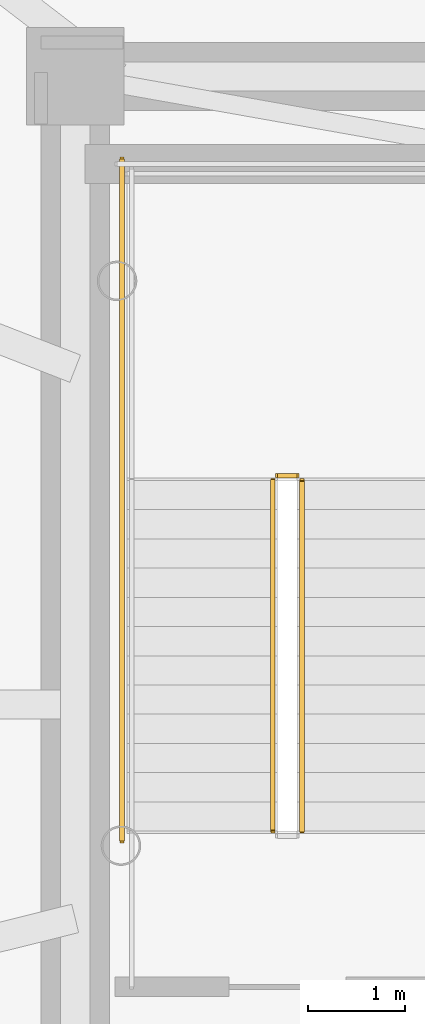
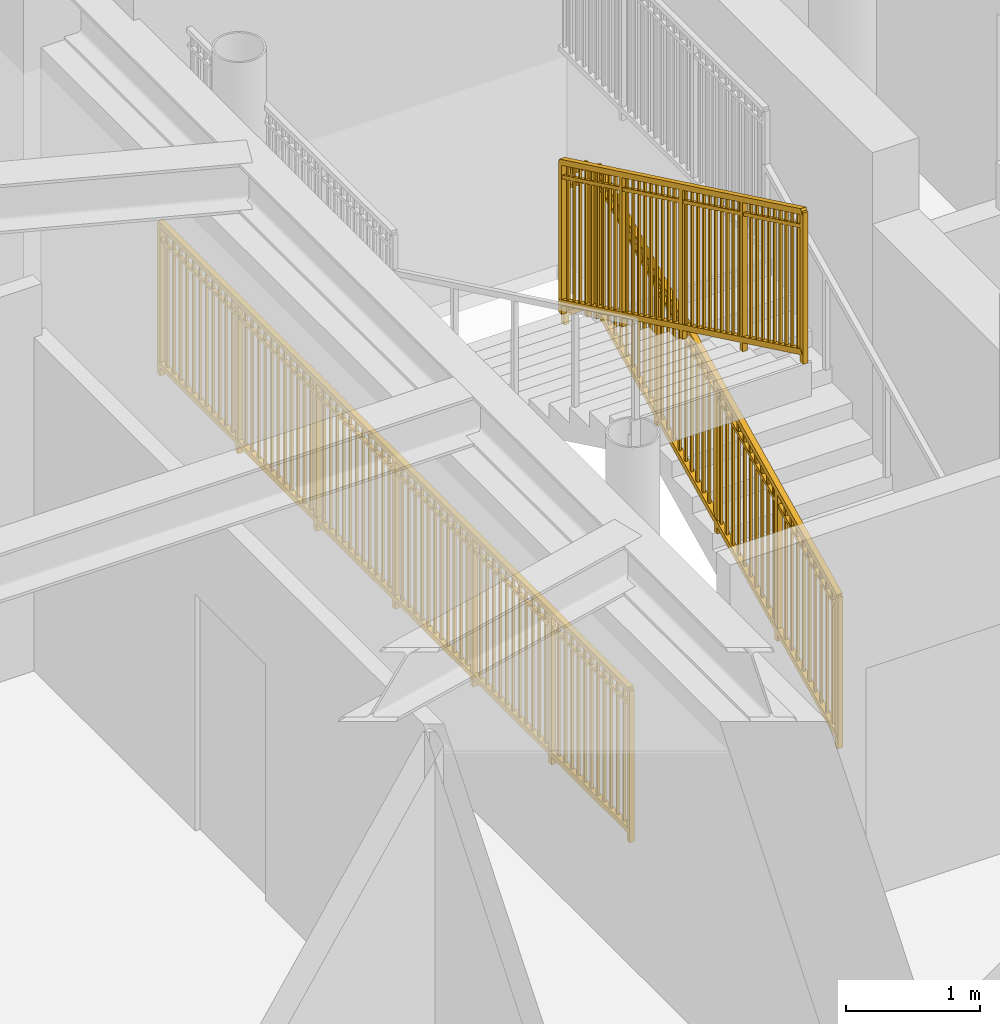
# One storey, part 13 of 16: 4 railings.
"""IFC4 building model written with IfcOpenShell, lengths in metres."""

from ifc_helpers import new_model, si_unit, direction, frame, origin, origin_2d, place, context, subcontext, project, spatial, rectangle, extrude, source, transform, mapped, material, type_object, element, save


model = new_model("IFC4")

# Units and contexts
model_context = context("Model", 3, precision=1e-05, world=origin(), true_north=direction((0.0, 1.0)))
body_context = subcontext(model_context, "Body", "Model", "MODEL_VIEW")
ifc_project = project(units=[si_unit("LENGTHUNIT", "METRE"), si_unit("AREAUNIT", "SQUARE_METRE"), si_unit("VOLUMEUNIT", "CUBIC_METRE"), si_unit("PLANEANGLEUNIT", "RADIAN"), si_unit("MASSUNIT", "GRAM", prefix="KILO")], contexts=[model_context])

# Site, building, storey
site_placement = place(None, origin())
site = spatial("IfcSite", under=ifc_project, at=site_placement, CompositionType="ELEMENT")
building_placement = place(site_placement, origin())
building = spatial("IfcBuilding", under=site, at=building_placement, Name="Linh Dai School and Residence Tower", CompositionType="ELEMENT")
storey_placement = place(building_placement, frame((0.0, 0.0, 306.75)))
storey = spatial("IfcBuildingStorey", under=building, at=storey_placement, Name="L76", CompositionType="ELEMENT", Elevation=306.75)

# Railings
ifc_material = material(Name="Structural Steel S355JR", Category="steel")
railing_type = type_object("IfcRailingType", Name="RL-ST-GUARD-1400", PredefinedType="GUARDRAIL", material=ifc_material)
shared_shape_1 = source(origin(), body_context, "Body", "SweptSolid", [
    extrude(rectangle(XDim=0.048095703125, YDim=0.048095703125, at=origin_2d()), frame((0.0, 0.0, 1.3759765625), z_axis=(-1.0, 0.0, 0.0), x_axis=(0.0, -1.0, 0.0)), (0.0, 0.0, 1.0), 0.199951171875),
    extrude(rectangle(XDim=0.048095703125, YDim=0.048095703125, at=origin_2d()), frame((0.0, 0.0, 0.10009765625), z_axis=(-1.0, 0.0, 0.0), x_axis=(0.0, -1.0, 0.0)), (0.0, 0.0, 1.0), 0.199951171875),
    extrude(rectangle(XDim=0.030029296875, YDim=0.030029296875, at=origin_2d()), frame((0.0, 0.0, 1.239990234375), z_axis=(-1.0, 0.0, 0.0), x_axis=(0.0, -1.0, 0.0)), (0.0, 0.0, 1.0), 0.199951171875),
    extrude(rectangle(XDim=0.0419921875, YDim=0.0419921875, at=origin_2d()), origin(), (0.0, 0.0, 1.0), 1.3759765625),
    extrude(rectangle(XDim=0.0419921875, YDim=0.0419921875, at=origin_2d()), frame((-0.199951171875, 0.0, 0.0)), (0.0, 0.0, 1.0), 1.3759765625),
])
railing_1_placement = place(storey_placement, frame((29.429931640625, 29.35009765625, 1.875)))
element("IfcRailing", 1, at=railing_1_placement, inside=storey, type_object=railing_type, Name="L76 ST1 stair guard 2", PredefinedType="GUARDRAIL", context=body_context, shape_type="MappedRepresentation", body=[
    mapped(shared_shape_1, transform((0.0, 0.0, 0.0), x_axis=(1.0, 0.0, 0.0), y_axis=(0.0, 1.0, 0.0), z_axis=(0.0, 0.0, 1.0), scale=1.0)),
])
shared_shape_2 = source(origin(), body_context, "Body", "SweptSolid", [
    extrude(rectangle(XDim=0.048095703125, YDim=0.048095703125, at=origin_2d()), frame((0.0, 0.0, 1.3759765625), z_axis=(0.0, 1.0, 0.0), x_axis=(-1.0, 0.0, 0.0)), (0.0, 0.0, 1.0), 7.0),
    extrude(rectangle(XDim=0.048095703125, YDim=0.048095703125, at=origin_2d()), frame((0.0, 0.0, 0.10009765625), z_axis=(0.0, 1.0, 0.0), x_axis=(-1.0, 0.0, 0.0)), (0.0, 0.0, 1.0), 7.0),
    extrude(rectangle(XDim=0.030029296875, YDim=0.030029296875, at=origin_2d()), frame((0.0, 0.0, 1.239990234375), z_axis=(0.0, 1.0, 0.0), x_axis=(-1.0, 0.0, 0.0)), (0.0, 0.0, 1.0), 7.0),
    extrude(rectangle(XDim=0.02001953125, YDim=0.02001953125, at=origin_2d()), frame((0.0, 0.09716796875, 0.10009765625)), (0.0, 0.0, 1.0), 1.251708984375),
    extrude(rectangle(XDim=0.02001953125, YDim=0.02001953125, at=origin_2d()), frame((0.0, 0.1943359375, 0.10009765625)), (0.0, 0.0, 1.0), 1.251708984375),
    extrude(rectangle(XDim=0.02001953125, YDim=0.02001953125, at=origin_2d()), frame((0.0, 0.291748046875, 0.10009765625)), (0.0, 0.0, 1.0), 1.251708984375),
    extrude(rectangle(XDim=0.02001953125, YDim=0.02001953125, at=origin_2d()), frame((0.0, 0.388916015625, 0.10009765625)), (0.0, 0.0, 1.0), 1.251708984375),
    extrude(rectangle(XDim=0.02001953125, YDim=0.02001953125, at=origin_2d()), frame((0.0, 0.486083984375, 0.10009765625)), (0.0, 0.0, 1.0), 1.251708984375),
    extrude(rectangle(XDim=0.02001953125, YDim=0.02001953125, at=origin_2d()), frame((0.0, 0.583251953125, 0.10009765625)), (0.0, 0.0, 1.0), 1.251708984375),
    extrude(rectangle(XDim=0.02001953125, YDim=0.02001953125, at=origin_2d()), frame((0.0, 0.6806640625, 0.10009765625)), (0.0, 0.0, 1.0), 1.251708984375),
    extrude(rectangle(XDim=0.02001953125, YDim=0.02001953125, at=origin_2d()), frame((0.0, 0.77783203125, 0.10009765625)), (0.0, 0.0, 1.0), 1.251708984375),
    extrude(rectangle(XDim=0.02001953125, YDim=0.02001953125, at=origin_2d()), frame((0.0, 0.875, 0.10009765625)), (0.0, 0.0, 1.0), 1.251708984375),
    extrude(rectangle(XDim=0.02001953125, YDim=0.02001953125, at=origin_2d()), frame((0.0, 0.97216796875, 0.10009765625)), (0.0, 0.0, 1.0), 1.251708984375),
    extrude(rectangle(XDim=0.02001953125, YDim=0.02001953125, at=origin_2d()), frame((0.0, 1.0693359375, 0.10009765625)), (0.0, 0.0, 1.0), 1.251708984375),
    extrude(rectangle(XDim=0.02001953125, YDim=0.02001953125, at=origin_2d()), frame((0.0, 1.263916015625, 0.10009765625)), (0.0, 0.0, 1.0), 1.251708984375),
    extrude(rectangle(XDim=0.02001953125, YDim=0.02001953125, at=origin_2d()), frame((0.0, 1.361083984375, 0.10009765625)), (0.0, 0.0, 1.0), 1.251708984375),
    extrude(rectangle(XDim=0.02001953125, YDim=0.02001953125, at=origin_2d()), frame((0.0, 1.458251953125, 0.10009765625)), (0.0, 0.0, 1.0), 1.251708984375),
    extrude(rectangle(XDim=0.02001953125, YDim=0.02001953125, at=origin_2d()), frame((0.0, 1.5556640625, 0.10009765625)), (0.0, 0.0, 1.0), 1.251708984375),
    extrude(rectangle(XDim=0.02001953125, YDim=0.02001953125, at=origin_2d()), frame((0.0, 1.65283203125, 0.10009765625)), (0.0, 0.0, 1.0), 1.251708984375),
    extrude(rectangle(XDim=0.02001953125, YDim=0.02001953125, at=origin_2d()), frame((0.0, 1.75, 0.10009765625)), (0.0, 0.0, 1.0), 1.251708984375),
    extrude(rectangle(XDim=0.02001953125, YDim=0.02001953125, at=origin_2d()), frame((0.0, 1.84716796875, 0.10009765625)), (0.0, 0.0, 1.0), 1.251708984375),
    extrude(rectangle(XDim=0.02001953125, YDim=0.02001953125, at=origin_2d()), frame((0.0, 1.9443359375, 0.10009765625)), (0.0, 0.0, 1.0), 1.251708984375),
    extrude(rectangle(XDim=0.02001953125, YDim=0.02001953125, at=origin_2d()), frame((0.0, 2.041748046875, 0.10009765625)), (0.0, 0.0, 1.0), 1.251708984375),
    extrude(rectangle(XDim=0.02001953125, YDim=0.02001953125, at=origin_2d()), frame((0.0, 2.138916015625, 0.10009765625)), (0.0, 0.0, 1.0), 1.251708984375),
    extrude(rectangle(XDim=0.02001953125, YDim=0.02001953125, at=origin_2d()), frame((0.0, 2.236083984375, 0.10009765625)), (0.0, 0.0, 1.0), 1.251708984375),
    extrude(rectangle(XDim=0.02001953125, YDim=0.02001953125, at=origin_2d()), frame((0.0, 2.4306640625, 0.10009765625)), (0.0, 0.0, 1.0), 1.251708984375),
    extrude(rectangle(XDim=0.02001953125, YDim=0.02001953125, at=origin_2d()), frame((0.0, 2.52783203125, 0.10009765625)), (0.0, 0.0, 1.0), 1.251708984375),
    extrude(rectangle(XDim=0.02001953125, YDim=0.02001953125, at=origin_2d()), frame((0.0, 2.625, 0.10009765625)), (0.0, 0.0, 1.0), 1.251708984375),
    extrude(rectangle(XDim=0.02001953125, YDim=0.02001953125, at=origin_2d()), frame((0.0, 2.72216796875, 0.10009765625)), (0.0, 0.0, 1.0), 1.251708984375),
    extrude(rectangle(XDim=0.02001953125, YDim=0.02001953125, at=origin_2d()), frame((0.0, 2.8193359375, 0.10009765625)), (0.0, 0.0, 1.0), 1.251708984375),
    extrude(rectangle(XDim=0.02001953125, YDim=0.02001953125, at=origin_2d()), frame((0.0, 2.916748046875, 0.10009765625)), (0.0, 0.0, 1.0), 1.251708984375),
    extrude(rectangle(XDim=0.02001953125, YDim=0.02001953125, at=origin_2d()), frame((0.0, 3.013916015625, 0.10009765625)), (0.0, 0.0, 1.0), 1.251708984375),
    extrude(rectangle(XDim=0.02001953125, YDim=0.02001953125, at=origin_2d()), frame((0.0, 3.111083984375, 0.10009765625)), (0.0, 0.0, 1.0), 1.251708984375),
    extrude(rectangle(XDim=0.02001953125, YDim=0.02001953125, at=origin_2d()), frame((0.0, 3.208251953125, 0.10009765625)), (0.0, 0.0, 1.0), 1.251708984375),
    extrude(rectangle(XDim=0.02001953125, YDim=0.02001953125, at=origin_2d()), frame((0.0, 3.3056640625, 0.10009765625)), (0.0, 0.0, 1.0), 1.251708984375),
    extrude(rectangle(XDim=0.02001953125, YDim=0.02001953125, at=origin_2d()), frame((0.0, 3.40283203125, 0.10009765625)), (0.0, 0.0, 1.0), 1.251708984375),
    extrude(rectangle(XDim=0.02001953125, YDim=0.02001953125, at=origin_2d()), frame((0.0, 3.59716796875, 0.10009765625)), (0.0, 0.0, 1.0), 1.251708984375),
    extrude(rectangle(XDim=0.02001953125, YDim=0.02001953125, at=origin_2d()), frame((0.0, 3.6943359375, 0.10009765625)), (0.0, 0.0, 1.0), 1.251708984375),
    extrude(rectangle(XDim=0.02001953125, YDim=0.02001953125, at=origin_2d()), frame((0.0, 3.791748046875, 0.10009765625)), (0.0, 0.0, 1.0), 1.251708984375),
    extrude(rectangle(XDim=0.02001953125, YDim=0.02001953125, at=origin_2d()), frame((0.0, 3.888916015625, 0.10009765625)), (0.0, 0.0, 1.0), 1.251708984375),
    extrude(rectangle(XDim=0.02001953125, YDim=0.02001953125, at=origin_2d()), frame((0.0, 3.986083984375, 0.10009765625)), (0.0, 0.0, 1.0), 1.251708984375),
    extrude(rectangle(XDim=0.02001953125, YDim=0.02001953125, at=origin_2d()), frame((0.0, 4.083251953125, 0.10009765625)), (0.0, 0.0, 1.0), 1.251708984375),
    extrude(rectangle(XDim=0.02001953125, YDim=0.02001953125, at=origin_2d()), frame((0.0, 4.1806640625, 0.10009765625)), (0.0, 0.0, 1.0), 1.251708984375),
    extrude(rectangle(XDim=0.02001953125, YDim=0.02001953125, at=origin_2d()), frame((0.0, 4.27783203125, 0.10009765625)), (0.0, 0.0, 1.0), 1.251708984375),
    extrude(rectangle(XDim=0.02001953125, YDim=0.02001953125, at=origin_2d()), frame((0.0, 4.375, 0.10009765625)), (0.0, 0.0, 1.0), 1.251708984375),
    extrude(rectangle(XDim=0.02001953125, YDim=0.02001953125, at=origin_2d()), frame((0.0, 4.47216796875, 0.10009765625)), (0.0, 0.0, 1.0), 1.251708984375),
    extrude(rectangle(XDim=0.02001953125, YDim=0.02001953125, at=origin_2d()), frame((0.0, 4.5693359375, 0.10009765625)), (0.0, 0.0, 1.0), 1.251708984375),
    extrude(rectangle(XDim=0.02001953125, YDim=0.02001953125, at=origin_2d()), frame((0.0, 4.763916015625, 0.10009765625)), (0.0, 0.0, 1.0), 1.251708984375),
    extrude(rectangle(XDim=0.02001953125, YDim=0.02001953125, at=origin_2d()), frame((0.0, 4.861083984375, 0.10009765625)), (0.0, 0.0, 1.0), 1.251708984375),
    extrude(rectangle(XDim=0.02001953125, YDim=0.02001953125, at=origin_2d()), frame((0.0, 4.958251953125, 0.10009765625)), (0.0, 0.0, 1.0), 1.251708984375),
    extrude(rectangle(XDim=0.02001953125, YDim=0.02001953125, at=origin_2d()), frame((0.0, 5.0556640625, 0.10009765625)), (0.0, 0.0, 1.0), 1.251708984375),
    extrude(rectangle(XDim=0.02001953125, YDim=0.02001953125, at=origin_2d()), frame((0.0, 5.15283203125, 0.10009765625)), (0.0, 0.0, 1.0), 1.251708984375),
    extrude(rectangle(XDim=0.02001953125, YDim=0.02001953125, at=origin_2d()), frame((0.0, 5.25, 0.10009765625)), (0.0, 0.0, 1.0), 1.251708984375),
    extrude(rectangle(XDim=0.02001953125, YDim=0.02001953125, at=origin_2d()), frame((0.0, 5.34716796875, 0.10009765625)), (0.0, 0.0, 1.0), 1.251708984375),
    extrude(rectangle(XDim=0.02001953125, YDim=0.02001953125, at=origin_2d()), frame((0.0, 5.4443359375, 0.10009765625)), (0.0, 0.0, 1.0), 1.251708984375),
    extrude(rectangle(XDim=0.02001953125, YDim=0.02001953125, at=origin_2d()), frame((0.0, 5.541748046875, 0.10009765625)), (0.0, 0.0, 1.0), 1.251708984375),
    extrude(rectangle(XDim=0.02001953125, YDim=0.02001953125, at=origin_2d()), frame((0.0, 5.638916015625, 0.10009765625)), (0.0, 0.0, 1.0), 1.251708984375),
    extrude(rectangle(XDim=0.02001953125, YDim=0.02001953125, at=origin_2d()), frame((0.0, 5.736083984375, 0.10009765625)), (0.0, 0.0, 1.0), 1.251708984375),
    extrude(rectangle(XDim=0.02001953125, YDim=0.02001953125, at=origin_2d()), frame((0.0, 5.9306640625, 0.10009765625)), (0.0, 0.0, 1.0), 1.251708984375),
    extrude(rectangle(XDim=0.02001953125, YDim=0.02001953125, at=origin_2d()), frame((0.0, 6.02783203125, 0.10009765625)), (0.0, 0.0, 1.0), 1.251708984375),
    extrude(rectangle(XDim=0.02001953125, YDim=0.02001953125, at=origin_2d()), frame((0.0, 6.125, 0.10009765625)), (0.0, 0.0, 1.0), 1.251708984375),
    extrude(rectangle(XDim=0.02001953125, YDim=0.02001953125, at=origin_2d()), frame((0.0, 6.22216796875, 0.10009765625)), (0.0, 0.0, 1.0), 1.251708984375),
    extrude(rectangle(XDim=0.02001953125, YDim=0.02001953125, at=origin_2d()), frame((0.0, 6.3193359375, 0.10009765625)), (0.0, 0.0, 1.0), 1.251708984375),
    extrude(rectangle(XDim=0.02001953125, YDim=0.02001953125, at=origin_2d()), frame((0.0, 6.416748046875, 0.10009765625)), (0.0, 0.0, 1.0), 1.251708984375),
    extrude(rectangle(XDim=0.02001953125, YDim=0.02001953125, at=origin_2d()), frame((0.0, 6.513916015625, 0.10009765625)), (0.0, 0.0, 1.0), 1.251708984375),
    extrude(rectangle(XDim=0.02001953125, YDim=0.02001953125, at=origin_2d()), frame((0.0, 6.611083984375, 0.10009765625)), (0.0, 0.0, 1.0), 1.251708984375),
    extrude(rectangle(XDim=0.02001953125, YDim=0.02001953125, at=origin_2d()), frame((0.0, 6.708251953125, 0.10009765625)), (0.0, 0.0, 1.0), 1.251708984375),
    extrude(rectangle(XDim=0.02001953125, YDim=0.02001953125, at=origin_2d()), frame((0.0, 6.8056640625, 0.10009765625)), (0.0, 0.0, 1.0), 1.251708984375),
    extrude(rectangle(XDim=0.02001953125, YDim=0.02001953125, at=origin_2d()), frame((0.0, 6.90283203125, 0.10009765625)), (0.0, 0.0, 1.0), 1.251708984375),
    extrude(rectangle(XDim=0.0419921875, YDim=0.0419921875, at=origin_2d()), origin(), (0.0, 0.0, 1.0), 1.3759765625),
    extrude(rectangle(XDim=0.0419921875, YDim=0.0419921875, at=origin_2d()), frame((0.0, 1.166748046875, 0.0)), (0.0, 0.0, 1.0), 1.3759765625),
    extrude(rectangle(XDim=0.0419921875, YDim=0.0419921875, at=origin_2d()), frame((0.0, 2.333251953125, 0.0)), (0.0, 0.0, 1.0), 1.3759765625),
    extrude(rectangle(XDim=0.0419921875, YDim=0.0419921875, at=origin_2d()), frame((0.0, 3.5, 0.0)), (0.0, 0.0, 1.0), 1.3759765625),
    extrude(rectangle(XDim=0.0419921875, YDim=0.0419921875, at=origin_2d()), frame((0.0, 4.666748046875, 0.0)), (0.0, 0.0, 1.0), 1.3759765625),
    extrude(rectangle(XDim=0.0419921875, YDim=0.0419921875, at=origin_2d()), frame((0.0, 5.833251953125, 0.0)), (0.0, 0.0, 1.0), 1.3759765625),
    extrude(rectangle(XDim=0.0419921875, YDim=0.0419921875, at=origin_2d()), frame((0.0, 7.0, 0.0)), (0.0, 0.0, 1.0), 1.3759765625),
])
railing_2_placement = place(storey_placement, frame((27.6298828125, 25.60009765625, 0.0)))
element("IfcRailing", 2, at=railing_2_placement, inside=storey, type_object=railing_type, Name="L76 ST1 stair guard 11", PredefinedType="GUARDRAIL", context=body_context, shape_type="MappedRepresentation", body=[
    mapped(shared_shape_2, transform((0.0, 0.0, 0.0), x_axis=(1.0, 0.0, 0.0), y_axis=(0.0, 1.0, 0.0), z_axis=(0.0, 0.0, 1.0), scale=1.0)),
])
shared_shape_3 = source(origin(), body_context, "Body", "SweptSolid", [
    extrude(rectangle(XDim=0.048095703125, YDim=0.048095703125, at=origin_2d()), frame((0.0, 0.0, 1.3759765625), z_axis=(0.0, 0.901262522062, 0.433273431364), x_axis=(-1.0, 0.0, 0.0)), (0.0, 0.0, 1.0), 3.994384765625),
    extrude(rectangle(XDim=0.048095703125, YDim=0.048095703125, at=origin_2d()), frame((0.0, 0.0, 0.10009765625), z_axis=(0.0, 0.901262522062, 0.433273431364), x_axis=(-1.0, 0.0, 0.0)), (0.0, 0.0, 1.0), 3.994384765625),
    extrude(rectangle(XDim=0.030029296875, YDim=0.030029296875, at=origin_2d()), frame((0.0, 0.0, 1.239990234375), z_axis=(0.0, 0.901262522062, 0.433273431364), x_axis=(-1.0, 0.0, 0.0)), (0.0, 0.0, 1.0), 3.994384765625),
    extrude(rectangle(XDim=0.02001953125, YDim=0.02001953125, at=origin_2d()), frame((0.0, 0.087890625, 0.142333984375)), (0.0, 0.0, 1.0), 1.251708984375),
    extrude(rectangle(XDim=0.02001953125, YDim=0.02001953125, at=origin_2d()), frame((0.0, 0.175537109375, 0.1845703125)), (0.0, 0.0, 1.0), 1.251708984375),
    extrude(rectangle(XDim=0.02001953125, YDim=0.02001953125, at=origin_2d()), frame((0.0, 0.263427734375, 0.226806640625)), (0.0, 0.0, 1.0), 1.251708984375),
    extrude(rectangle(XDim=0.02001953125, YDim=0.02001953125, at=origin_2d()), frame((0.0, 0.351318359375, 0.26904296875)), (0.0, 0.0, 1.0), 1.251708984375),
    extrude(rectangle(XDim=0.02001953125, YDim=0.02001953125, at=origin_2d()), frame((0.0, 0.43896484375, 0.311279296875)), (0.0, 0.0, 1.0), 1.251708984375),
    extrude(rectangle(XDim=0.02001953125, YDim=0.02001953125, at=origin_2d()), frame((0.0, 0.52685546875, 0.353271484375)), (0.0, 0.0, 1.0), 1.251708984375),
    extrude(rectangle(XDim=0.02001953125, YDim=0.02001953125, at=origin_2d()), frame((0.0, 0.61474609375, 0.3955078125)), (0.0, 0.0, 1.0), 1.251708984375),
    extrude(rectangle(XDim=0.02001953125, YDim=0.02001953125, at=origin_2d()), frame((0.0, 0.702392578125, 0.437744140625)), (0.0, 0.0, 1.0), 1.251708984375),
    extrude(rectangle(XDim=0.02001953125, YDim=0.02001953125, at=origin_2d()), frame((0.0, 0.790283203125, 0.47998046875)), (0.0, 0.0, 1.0), 1.251708984375),
    extrude(rectangle(XDim=0.02001953125, YDim=0.02001953125, at=origin_2d()), frame((0.0, 0.9658203125, 0.564453125)), (0.0, 0.0, 1.0), 1.251708984375),
    extrude(rectangle(XDim=0.02001953125, YDim=0.02001953125, at=origin_2d()), frame((0.0, 1.0537109375, 0.606689453125)), (0.0, 0.0, 1.0), 1.251708984375),
    extrude(rectangle(XDim=0.02001953125, YDim=0.02001953125, at=origin_2d()), frame((0.0, 1.1416015625, 0.64892578125)), (0.0, 0.0, 1.0), 1.251708984375),
    extrude(rectangle(XDim=0.02001953125, YDim=0.02001953125, at=origin_2d()), frame((0.0, 1.229248046875, 0.691162109375)), (0.0, 0.0, 1.0), 1.251708984375),
    extrude(rectangle(XDim=0.02001953125, YDim=0.02001953125, at=origin_2d()), frame((0.0, 1.317138671875, 0.7333984375)), (0.0, 0.0, 1.0), 1.251708984375),
    extrude(rectangle(XDim=0.02001953125, YDim=0.02001953125, at=origin_2d()), frame((0.0, 1.405029296875, 0.775390625)), (0.0, 0.0, 1.0), 1.251708984375),
    extrude(rectangle(XDim=0.02001953125, YDim=0.02001953125, at=origin_2d()), frame((0.0, 1.49267578125, 0.817626953125)), (0.0, 0.0, 1.0), 1.251708984375),
    extrude(rectangle(XDim=0.02001953125, YDim=0.02001953125, at=origin_2d()), frame((0.0, 1.58056640625, 0.85986328125)), (0.0, 0.0, 1.0), 1.251708984375),
    extrude(rectangle(XDim=0.02001953125, YDim=0.02001953125, at=origin_2d()), frame((0.0, 1.66845703125, 0.902099609375)), (0.0, 0.0, 1.0), 1.251708984375),
    extrude(rectangle(XDim=0.02001953125, YDim=0.02001953125, at=origin_2d()), frame((0.0, 1.756103515625, 0.9443359375)), (0.0, 0.0, 1.0), 1.251708984375),
    extrude(rectangle(XDim=0.02001953125, YDim=0.02001953125, at=origin_2d()), frame((0.0, 1.843994140625, 0.986572265625)), (0.0, 0.0, 1.0), 1.251708984375),
    extrude(rectangle(XDim=0.02001953125, YDim=0.02001953125, at=origin_2d()), frame((0.0, 1.931640625, 1.02880859375)), (0.0, 0.0, 1.0), 1.251708984375),
    extrude(rectangle(XDim=0.02001953125, YDim=0.02001953125, at=origin_2d()), frame((0.0, 2.01953125, 1.071044921875)), (0.0, 0.0, 1.0), 1.251708984375),
    extrude(rectangle(XDim=0.02001953125, YDim=0.02001953125, at=origin_2d()), frame((0.0, 2.107421875, 1.11328125)), (0.0, 0.0, 1.0), 1.251708984375),
    extrude(rectangle(XDim=0.02001953125, YDim=0.02001953125, at=origin_2d()), frame((0.0, 2.195068359375, 1.155517578125)), (0.0, 0.0, 1.0), 1.251708984375),
    extrude(rectangle(XDim=0.02001953125, YDim=0.02001953125, at=origin_2d()), frame((0.0, 2.282958984375, 1.197509765625)), (0.0, 0.0, 1.0), 1.251708984375),
    extrude(rectangle(XDim=0.02001953125, YDim=0.02001953125, at=origin_2d()), frame((0.0, 2.370849609375, 1.23974609375)), (0.0, 0.0, 1.0), 1.251708984375),
    extrude(rectangle(XDim=0.02001953125, YDim=0.02001953125, at=origin_2d()), frame((0.0, 2.45849609375, 1.281982421875)), (0.0, 0.0, 1.0), 1.251708984375),
    extrude(rectangle(XDim=0.02001953125, YDim=0.02001953125, at=origin_2d()), frame((0.0, 2.54638671875, 1.32421875)), (0.0, 0.0, 1.0), 1.251708984375),
    extrude(rectangle(XDim=0.02001953125, YDim=0.02001953125, at=origin_2d()), frame((0.0, 2.63427734375, 1.366455078125)), (0.0, 0.0, 1.0), 1.251708984375),
    extrude(rectangle(XDim=0.02001953125, YDim=0.02001953125, at=origin_2d()), frame((0.0, 2.809814453125, 1.450927734375)), (0.0, 0.0, 1.0), 1.251708984375),
    extrude(rectangle(XDim=0.02001953125, YDim=0.02001953125, at=origin_2d()), frame((0.0, 2.897705078125, 1.4931640625)), (0.0, 0.0, 1.0), 1.251708984375),
    extrude(rectangle(XDim=0.02001953125, YDim=0.02001953125, at=origin_2d()), frame((0.0, 2.9853515625, 1.535400390625)), (0.0, 0.0, 1.0), 1.251708984375),
    extrude(rectangle(XDim=0.02001953125, YDim=0.02001953125, at=origin_2d()), frame((0.0, 3.0732421875, 1.57763671875)), (0.0, 0.0, 1.0), 1.251708984375),
    extrude(rectangle(XDim=0.02001953125, YDim=0.02001953125, at=origin_2d()), frame((0.0, 3.1611328125, 1.61962890625)), (0.0, 0.0, 1.0), 1.251708984375),
    extrude(rectangle(XDim=0.02001953125, YDim=0.02001953125, at=origin_2d()), frame((0.0, 3.248779296875, 1.661865234375)), (0.0, 0.0, 1.0), 1.251708984375),
    extrude(rectangle(XDim=0.02001953125, YDim=0.02001953125, at=origin_2d()), frame((0.0, 3.336669921875, 1.7041015625)), (0.0, 0.0, 1.0), 1.251708984375),
    extrude(rectangle(XDim=0.02001953125, YDim=0.02001953125, at=origin_2d()), frame((0.0, 3.424560546875, 1.746337890625)), (0.0, 0.0, 1.0), 1.251708984375),
    extrude(rectangle(XDim=0.02001953125, YDim=0.02001953125, at=origin_2d()), frame((0.0, 3.51220703125, 1.78857421875)), (0.0, 0.0, 1.0), 1.251708984375),
    extrude(rectangle(XDim=0.0419921875, YDim=0.0419921875, at=origin_2d()), origin(), (0.0, 0.0, 1.0), 1.3759765625),
    extrude(rectangle(XDim=0.0419921875, YDim=0.0419921875, at=origin_2d()), frame((0.0, 0.89990234375, 0.4326171875)), (0.0, 0.0, 1.0), 1.3759765625),
    extrude(rectangle(XDim=0.0419921875, YDim=0.0419921875, at=origin_2d()), frame((0.0, 1.800048828125, 0.865234375)), (0.0, 0.0, 1.0), 1.3759765625),
    extrude(rectangle(XDim=0.0419921875, YDim=0.0419921875, at=origin_2d()), frame((0.0, 2.7001953125, 1.298095703125)), (0.0, 0.0, 1.0), 1.3759765625),
    extrude(rectangle(XDim=0.0419921875, YDim=0.0419921875, at=origin_2d()), frame((0.0, 3.60009765625, 1.730712890625)), (0.0, 0.0, 1.0), 1.3759765625),
])
railing_3_placement = place(storey_placement, frame((29.47998046875, 25.699951171875, 0.144287109375)))
element("IfcRailing", 3, at=railing_3_placement, inside=storey, type_object=railing_type, Name="L76 ST1 stair guard 1", PredefinedType="GUARDRAIL", context=body_context, shape_type="MappedRepresentation", body=[
    mapped(shared_shape_3, transform((0.0, 0.0, 0.0), x_axis=(1.0, 0.0, 0.0), y_axis=(0.0, 1.0, 0.0), z_axis=(0.0, 0.0, 1.0), scale=1.0)),
])
shared_shape_4 = source(origin(), body_context, "Body", "SweptSolid", [
    extrude(rectangle(XDim=0.048095703125, YDim=0.048095703125, at=origin_2d()), frame((0.0, 0.0, 1.3759765625), z_axis=(0.0, -0.901262522062, 0.433273431364), x_axis=(1.0, 0.0, 0.0)), (0.0, 0.0, 1.0), 3.994384765625),
    extrude(rectangle(XDim=0.048095703125, YDim=0.048095703125, at=origin_2d()), frame((0.0, 0.0, 0.10009765625), z_axis=(0.0, -0.901262522062, 0.433273431364), x_axis=(1.0, 0.0, 0.0)), (0.0, 0.0, 1.0), 3.994384765625),
    extrude(rectangle(XDim=0.030029296875, YDim=0.030029296875, at=origin_2d()), frame((0.0, 0.0, 1.239990234375), z_axis=(0.0, -0.901262522062, 0.433273431364), x_axis=(1.0, 0.0, 0.0)), (0.0, 0.0, 1.0), 3.994384765625),
    extrude(rectangle(XDim=0.02001953125, YDim=0.02001953125, at=origin_2d()), frame((0.0, -0.087890625, 0.142333984375)), (0.0, 0.0, 1.0), 1.251708984375),
    extrude(rectangle(XDim=0.02001953125, YDim=0.02001953125, at=origin_2d()), frame((0.0, -0.175537109375, 0.1845703125)), (0.0, 0.0, 1.0), 1.251708984375),
    extrude(rectangle(XDim=0.02001953125, YDim=0.02001953125, at=origin_2d()), frame((0.0, -0.263427734375, 0.226806640625)), (0.0, 0.0, 1.0), 1.251708984375),
    extrude(rectangle(XDim=0.02001953125, YDim=0.02001953125, at=origin_2d()), frame((0.0, -0.351318359375, 0.26904296875)), (0.0, 0.0, 1.0), 1.251708984375),
    extrude(rectangle(XDim=0.02001953125, YDim=0.02001953125, at=origin_2d()), frame((0.0, -0.43896484375, 0.311279296875)), (0.0, 0.0, 1.0), 1.251708984375),
    extrude(rectangle(XDim=0.02001953125, YDim=0.02001953125, at=origin_2d()), frame((0.0, -0.52685546875, 0.353271484375)), (0.0, 0.0, 1.0), 1.251708984375),
    extrude(rectangle(XDim=0.02001953125, YDim=0.02001953125, at=origin_2d()), frame((0.0, -0.61474609375, 0.3955078125)), (0.0, 0.0, 1.0), 1.251708984375),
    extrude(rectangle(XDim=0.02001953125, YDim=0.02001953125, at=origin_2d()), frame((0.0, -0.702392578125, 0.437744140625)), (0.0, 0.0, 1.0), 1.251708984375),
    extrude(rectangle(XDim=0.02001953125, YDim=0.02001953125, at=origin_2d()), frame((0.0, -0.790283203125, 0.47998046875)), (0.0, 0.0, 1.0), 1.251708984375),
    extrude(rectangle(XDim=0.02001953125, YDim=0.02001953125, at=origin_2d()), frame((0.0, -0.9658203125, 0.564453125)), (0.0, 0.0, 1.0), 1.251708984375),
    extrude(rectangle(XDim=0.02001953125, YDim=0.02001953125, at=origin_2d()), frame((0.0, -1.0537109375, 0.606689453125)), (0.0, 0.0, 1.0), 1.251708984375),
    extrude(rectangle(XDim=0.02001953125, YDim=0.02001953125, at=origin_2d()), frame((0.0, -1.1416015625, 0.64892578125)), (0.0, 0.0, 1.0), 1.251708984375),
    extrude(rectangle(XDim=0.02001953125, YDim=0.02001953125, at=origin_2d()), frame((0.0, -1.229248046875, 0.691162109375)), (0.0, 0.0, 1.0), 1.251708984375),
    extrude(rectangle(XDim=0.02001953125, YDim=0.02001953125, at=origin_2d()), frame((0.0, -1.317138671875, 0.7333984375)), (0.0, 0.0, 1.0), 1.251708984375),
    extrude(rectangle(XDim=0.02001953125, YDim=0.02001953125, at=origin_2d()), frame((0.0, -1.405029296875, 0.775390625)), (0.0, 0.0, 1.0), 1.251708984375),
    extrude(rectangle(XDim=0.02001953125, YDim=0.02001953125, at=origin_2d()), frame((0.0, -1.49267578125, 0.817626953125)), (0.0, 0.0, 1.0), 1.251708984375),
    extrude(rectangle(XDim=0.02001953125, YDim=0.02001953125, at=origin_2d()), frame((0.0, -1.58056640625, 0.85986328125)), (0.0, 0.0, 1.0), 1.251708984375),
    extrude(rectangle(XDim=0.02001953125, YDim=0.02001953125, at=origin_2d()), frame((0.0, -1.66845703125, 0.902099609375)), (0.0, 0.0, 1.0), 1.251708984375),
    extrude(rectangle(XDim=0.02001953125, YDim=0.02001953125, at=origin_2d()), frame((0.0, -1.756103515625, 0.9443359375)), (0.0, 0.0, 1.0), 1.251708984375),
    extrude(rectangle(XDim=0.02001953125, YDim=0.02001953125, at=origin_2d()), frame((0.0, -1.843994140625, 0.986572265625)), (0.0, 0.0, 1.0), 1.251708984375),
    extrude(rectangle(XDim=0.02001953125, YDim=0.02001953125, at=origin_2d()), frame((0.0, -1.931640625, 1.02880859375)), (0.0, 0.0, 1.0), 1.251708984375),
    extrude(rectangle(XDim=0.02001953125, YDim=0.02001953125, at=origin_2d()), frame((0.0, -2.01953125, 1.071044921875)), (0.0, 0.0, 1.0), 1.251708984375),
    extrude(rectangle(XDim=0.02001953125, YDim=0.02001953125, at=origin_2d()), frame((0.0, -2.107421875, 1.11328125)), (0.0, 0.0, 1.0), 1.251708984375),
    extrude(rectangle(XDim=0.02001953125, YDim=0.02001953125, at=origin_2d()), frame((0.0, -2.195068359375, 1.155517578125)), (0.0, 0.0, 1.0), 1.251708984375),
    extrude(rectangle(XDim=0.02001953125, YDim=0.02001953125, at=origin_2d()), frame((0.0, -2.282958984375, 1.197509765625)), (0.0, 0.0, 1.0), 1.251708984375),
    extrude(rectangle(XDim=0.02001953125, YDim=0.02001953125, at=origin_2d()), frame((0.0, -2.370849609375, 1.23974609375)), (0.0, 0.0, 1.0), 1.251708984375),
    extrude(rectangle(XDim=0.02001953125, YDim=0.02001953125, at=origin_2d()), frame((0.0, -2.45849609375, 1.281982421875)), (0.0, 0.0, 1.0), 1.251708984375),
    extrude(rectangle(XDim=0.02001953125, YDim=0.02001953125, at=origin_2d()), frame((0.0, -2.54638671875, 1.32421875)), (0.0, 0.0, 1.0), 1.251708984375),
    extrude(rectangle(XDim=0.02001953125, YDim=0.02001953125, at=origin_2d()), frame((0.0, -2.63427734375, 1.366455078125)), (0.0, 0.0, 1.0), 1.251708984375),
    extrude(rectangle(XDim=0.02001953125, YDim=0.02001953125, at=origin_2d()), frame((0.0, -2.809814453125, 1.450927734375)), (0.0, 0.0, 1.0), 1.251708984375),
    extrude(rectangle(XDim=0.02001953125, YDim=0.02001953125, at=origin_2d()), frame((0.0, -2.897705078125, 1.4931640625)), (0.0, 0.0, 1.0), 1.251708984375),
    extrude(rectangle(XDim=0.02001953125, YDim=0.02001953125, at=origin_2d()), frame((0.0, -2.9853515625, 1.535400390625)), (0.0, 0.0, 1.0), 1.251708984375),
    extrude(rectangle(XDim=0.02001953125, YDim=0.02001953125, at=origin_2d()), frame((0.0, -3.0732421875, 1.57763671875)), (0.0, 0.0, 1.0), 1.251708984375),
    extrude(rectangle(XDim=0.02001953125, YDim=0.02001953125, at=origin_2d()), frame((0.0, -3.1611328125, 1.61962890625)), (0.0, 0.0, 1.0), 1.251708984375),
    extrude(rectangle(XDim=0.02001953125, YDim=0.02001953125, at=origin_2d()), frame((0.0, -3.248779296875, 1.661865234375)), (0.0, 0.0, 1.0), 1.251708984375),
    extrude(rectangle(XDim=0.02001953125, YDim=0.02001953125, at=origin_2d()), frame((0.0, -3.336669921875, 1.7041015625)), (0.0, 0.0, 1.0), 1.251708984375),
    extrude(rectangle(XDim=0.02001953125, YDim=0.02001953125, at=origin_2d()), frame((0.0, -3.424560546875, 1.746337890625)), (0.0, 0.0, 1.0), 1.251708984375),
    extrude(rectangle(XDim=0.02001953125, YDim=0.02001953125, at=origin_2d()), frame((0.0, -3.51220703125, 1.78857421875)), (0.0, 0.0, 1.0), 1.251708984375),
    extrude(rectangle(XDim=0.0419921875, YDim=0.0419921875, at=origin_2d()), origin(), (0.0, 0.0, 1.0), 1.3759765625),
    extrude(rectangle(XDim=0.0419921875, YDim=0.0419921875, at=origin_2d()), frame((0.0, -0.89990234375, 0.4326171875)), (0.0, 0.0, 1.0), 1.3759765625),
    extrude(rectangle(XDim=0.0419921875, YDim=0.0419921875, at=origin_2d()), frame((0.0, -1.800048828125, 0.865234375)), (0.0, 0.0, 1.0), 1.3759765625),
    extrude(rectangle(XDim=0.0419921875, YDim=0.0419921875, at=origin_2d()), frame((0.0, -2.7001953125, 1.298095703125)), (0.0, 0.0, 1.0), 1.3759765625),
    extrude(rectangle(XDim=0.0419921875, YDim=0.0419921875, at=origin_2d()), frame((0.0, -3.60009765625, 1.730712890625)), (0.0, 0.0, 1.0), 1.3759765625),
])
railing_4_placement = place(storey_placement, frame((29.179931640625, 29.300048828125, 2.019287109375)))
element("IfcRailing", 4, at=railing_4_placement, inside=storey, type_object=railing_type, Name="L76 ST1 stair guard 6", PredefinedType="GUARDRAIL", context=body_context, shape_type="MappedRepresentation", body=[
    mapped(shared_shape_4, transform((0.0, 0.0, 0.0), x_axis=(1.0, 0.0, 0.0), y_axis=(0.0, 1.0, 0.0), z_axis=(0.0, 0.0, 1.0), scale=1.0)),
])

save(model, "model.ifc")
